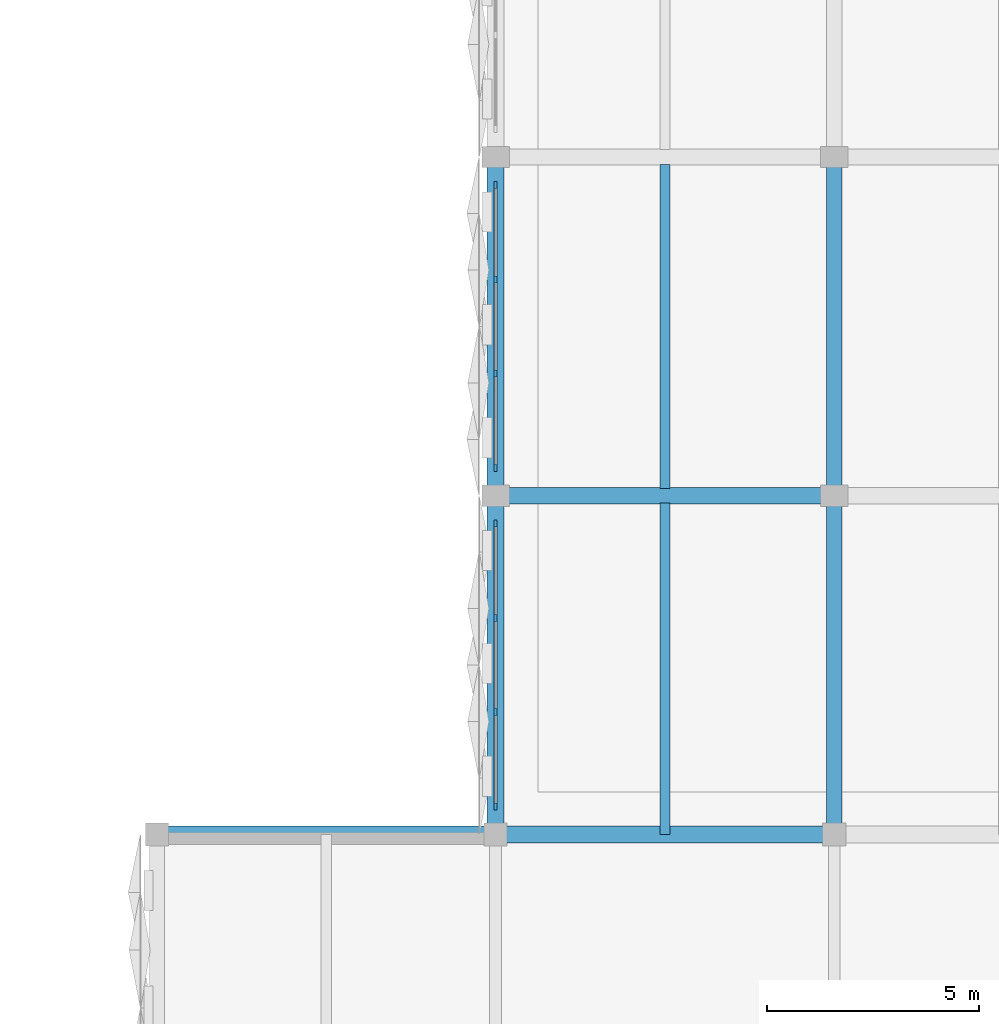
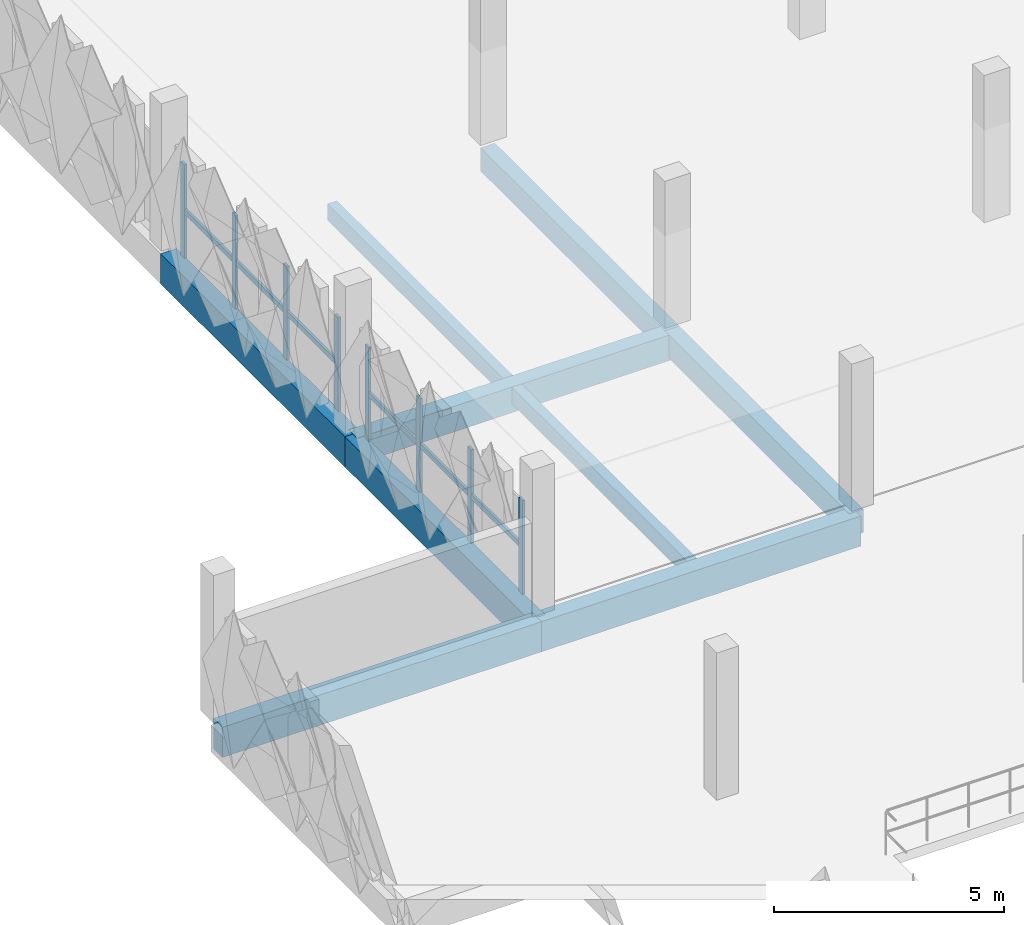
# One storey, part 21 of 83: 10 members, 9 beams, 2 elements without a shape of their own.
"""IFC4 building model written with IfcOpenShell, lengths in metres."""

from ifc_helpers import new_model, si_unit, derived_unit, direction, frame, origin, origin_2d, place, context, subcontext, project, spatial, rectangle, extrude, material, layer, layer_set, material_profile, profile_set, type_object, element, aggregate, save


model = new_model("IFC4")

# Units and contexts
model_context = context("Model", 3, precision=1e-05, world=origin(), true_north=direction((0.0, 1.0)))
body_context = subcontext(model_context, "Body", "Model", "MODEL_VIEW")
ifc_project = project(units=[si_unit("LENGTHUNIT", "METRE"), si_unit("AREAUNIT", "SQUARE_METRE"), si_unit("VOLUMEUNIT", "CUBIC_METRE"), si_unit("PLANEANGLEUNIT", "RADIAN"), si_unit("MASSUNIT", "GRAM", prefix="KILO"), si_unit("THERMODYNAMICTEMPERATUREUNIT", "KELVIN"), derived_unit("THERMALTRANSMITTANCEUNIT", [(si_unit("POWERUNIT", "WATT"), 1), (si_unit("AREAUNIT", "SQUARE_METRE"), -1), (si_unit("THERMODYNAMICTEMPERATUREUNIT", "KELVIN"), -1)])], contexts=[model_context])

# Site, building, storey
site_placement = place(None, origin())
site = spatial("IfcSite", under=ifc_project, at=site_placement, CompositionType="ELEMENT")
building_placement = place(site_placement, origin())
building = spatial("IfcBuilding", under=site, at=building_placement, Name="Haiyu Intermodal Mobility Hub", CompositionType="ELEMENT")
storey_placement = place(building_placement, frame((0.0, 0.0, 13.39990234375)))
storey = spatial("IfcBuildingStorey", under=building, at=storey_placement, Name="L03", CompositionType="ELEMENT", Elevation=13.39990234375)

# Beams
ifc_material_1 = material(Name="Concrete C40", Category="concrete")
ifc_material_profile_1 = material_profile(ifc_material_1, rectangle(XDim=0.39990234375, YDim=0.800048828125, at=origin_2d()), Name="RCB400x800")
ifc_profile_set_1 = profile_set([ifc_material_profile_1], Name="Concrete C40")
beam_type_1 = type_object("IfcBeamType", Name="BM-CB05", PredefinedType="BEAM", material=ifc_profile_set_1)
for number, where, z_axis, x_axis, name in (
    (1, (154.0, 80.0, -0.659912109375), (1.0, 0.0, 0.0), (0.0, 1.0, 0.0), "BM-V5G-L03-056"),
    (2, (162.0, 80.0, -0.659912109375), (1.0, 0.0, 0.0), (0.0, 1.0, 0.0), "BM-V5G-L03-057"),
    (3, (162.0, 80.0, -0.659912109375), (0.0, 1.0, 0.0), (-1.0, 0.0, 0.0), "BM-V6T-L03-001"),
    (4, (162.0, 88.0, -0.659912109375), (0.0, 1.0, 0.0), (-1.0, 0.0, 0.0), "BM-V6T-L03-002"),
):
    element("IfcBeam", number, at=place(storey_placement, frame(where, z_axis=z_axis, x_axis=x_axis)), inside=storey, type_object=beam_type_1, Name=name, PredefinedType="BEAM", context=body_context, shape_type="SweptSolid", body=[
        extrude(rectangle(XDim=0.39990234375, YDim=0.800048828125, at=origin_2d()), origin(), (0.0, 0.0, 1.0), 8.0),
    ])
ifc_material_profile_2 = material_profile(ifc_material_1, rectangle(XDim=0.3798828125, YDim=0.679931640625, at=origin_2d()), Name="B380x680")
ifc_profile_set_2 = profile_set([ifc_material_profile_2], Name="Concrete C40")
beam_type_2 = type_object("IfcBeamType", Name="BM-CB15", PredefinedType="BEAM", material=ifc_profile_set_2)
beam_1_placement = place(storey_placement, frame((162.0, 88.0, -0.599853515625), z_axis=(1.0, 0.0, 0.0), x_axis=(0.0, 1.0, 0.0)))
element("IfcBeam", 5, at=beam_1_placement, inside=storey, type_object=beam_type_2, Name="BM-V6G-L03-007", PredefinedType="BEAM", context=body_context, shape_type="SweptSolid", body=[
    extrude(rectangle(XDim=0.3798828125, YDim=0.679931640625, at=origin_2d()), origin(), (0.0, 0.0, 1.0), 8.0),
])
ifc_material_profile_3 = material_profile(ifc_material_1, rectangle(XDim=0.360107421875, YDim=0.6201171875, at=origin_2d()), Name="B360x620")
ifc_profile_set_3 = profile_set([ifc_material_profile_3], Name="Concrete C40")
beam_type_3 = type_object("IfcBeamType", Name="BM-CB16", PredefinedType="BEAM", material=ifc_profile_set_3)
for number, where, z_axis, x_axis, name in (
    (6, (170.0, 80.0, -0.56982421875), (0.0, 1.0, 0.0), (-1.0, 0.0, 0.0), "BM-V6T-L03-009"),
    (7, (170.0, 88.0, -0.56982421875), (0.0, 1.0, 0.0), (-1.0, 0.0, 0.0), "BM-V6T-L03-010"),
):
    element("IfcBeam", number, at=place(storey_placement, frame(where, z_axis=z_axis, x_axis=x_axis)), inside=storey, type_object=beam_type_3, Name=name, PredefinedType="BEAM", context=body_context, shape_type="SweptSolid", body=[
        extrude(rectangle(XDim=0.360107421875, YDim=0.6201171875, at=origin_2d()), origin(), (0.0, 0.0, 1.0), 8.0),
    ])
ifc_material_profile_4 = material_profile(ifc_material_1, rectangle(XDim=0.239990234375, YDim=0.43994140625, at=origin_2d()), Name="B240x440")
ifc_profile_set_4 = profile_set([ifc_material_profile_4], Name="Concrete C40")
beam_type_4 = type_object("IfcBeamType", Name="BM-CB19", PredefinedType="JOIST", material=ifc_profile_set_4)
beam_2_placement = place(storey_placement, frame((166.0, 80.0, -0.47998046875), z_axis=(0.0, 1.0, 0.0), x_axis=(-1.0, 0.0, 0.0)))
element("IfcBeam", 8, at=beam_2_placement, inside=storey, type_object=beam_type_4, Name="BM-V6J-L03-001", PredefinedType="JOIST", context=body_context, shape_type="SweptSolid", body=[
    extrude(rectangle(XDim=0.239990234375, YDim=0.43994140625, at=origin_2d()), origin(), (0.0, 0.0, 1.0), 7.824951171875),
])
beam_3_placement = place(storey_placement, frame((166.0, 88.175048828125, -0.47998046875), z_axis=(0.0, 1.0, 0.0), x_axis=(-1.0, 0.0, 0.0)))
element("IfcBeam", 9, at=beam_3_placement, inside=storey, type_object=beam_type_4, Name="BM-V6J-L03-002", PredefinedType="JOIST", context=body_context, shape_type="SweptSolid", body=[
    extrude(rectangle(XDim=0.239990234375, YDim=0.43994140625, at=origin_2d()), origin(), (0.0, 0.0, 1.0), 7.64990234375),
])

# Curtain wall, members
ifc_material_2 = material(Name="Low-e laminated insulating glass", Category="glass")
ifc_layer = layer(ifc_material_2, 0.2099609375)
ifc_layer_set = layer_set([ifc_layer], Name="Low-e laminated insulating glass")
curtain_wall_type = type_object("IfcCurtainWallType", Name="CW-CW04", PredefinedType="NOTDEFINED", material=ifc_layer_set)
curtain_wall_1_placement = place(storey_placement, origin())
curtain_wall_1 = element("IfcCurtainWall", 10, at=curtain_wall_1_placement, inside=storey, type_object=curtain_wall_type, Name="Curtain Wall CW-V6W-L03-149", PredefinedType="NOTDEFINED")
ifc_material_3 = material(Name="Anodised aluminium 6063-T6", Category="aluminium")
ifc_material_profile_5 = material_profile(ifc_material_3, rectangle(XDim=0.06494140625, YDim=0.1650390625, at=origin_2d()), Name="ALU65x165")
ifc_profile_set_5 = profile_set([ifc_material_profile_5], Name="Anodised aluminium 6063-T6")
member_type_1 = type_object("IfcMemberType", Name="CWM-ML02", PredefinedType="MULLION", material=ifc_profile_set_5)
member_1_placement = place(storey_placement, frame((162.0, 87.340087890625, 0.0), z_axis=(0.0, 0.0, 1.0), x_axis=(1.0, 0.0, 0.0)))
member_1 = element("IfcMember", 11, at=member_1_placement, type_object=member_type_1, Name="CW-V6W-L03-149-ML01", PredefinedType="MULLION", context=body_context, shape_type="SweptSolid", body=[
    extrude(rectangle(XDim=0.06494140625, YDim=0.1650390625, at=origin_2d()), origin(), (0.0, 0.0, 1.0), 2.47998046875),
])
member_2_placement = place(storey_placement, frame((162.0, 85.113037109375, 0.0), z_axis=(0.0, 0.0, 1.0), x_axis=(1.0, 0.0, 0.0)))
member_2 = element("IfcMember", 12, at=member_2_placement, type_object=member_type_1, Name="CW-V6W-L03-149-ML02", PredefinedType="MULLION", context=body_context, shape_type="SweptSolid", body=[
    extrude(rectangle(XDim=0.06494140625, YDim=0.1650390625, at=origin_2d()), origin(), (0.0, 0.0, 1.0), 2.47998046875),
])
member_3_placement = place(storey_placement, frame((162.0, 82.886962890625, 0.0), z_axis=(0.0, 0.0, 1.0), x_axis=(1.0, 0.0, 0.0)))
member_3 = element("IfcMember", 13, at=member_3_placement, type_object=member_type_1, Name="CW-V6W-L03-149-ML03", PredefinedType="MULLION", context=body_context, shape_type="SweptSolid", body=[
    extrude(rectangle(XDim=0.06494140625, YDim=0.1650390625, at=origin_2d()), origin(), (0.0, 0.0, 1.0), 2.47998046875),
])
member_4_placement = place(storey_placement, frame((162.0, 80.659912109375, 0.0), z_axis=(0.0, 0.0, 1.0), x_axis=(1.0, 0.0, 0.0)))
member_4 = element("IfcMember", 14, at=member_4_placement, type_object=member_type_1, Name="CW-V6W-L03-149-ML04", PredefinedType="MULLION", context=body_context, shape_type="SweptSolid", body=[
    extrude(rectangle(XDim=0.06494140625, YDim=0.1650390625, at=origin_2d()), origin(), (0.0, 0.0, 1.0), 2.47998046875),
])

curtain_wall_2_placement = place(storey_placement, origin())
curtain_wall_2 = element("IfcCurtainWall", 15, at=curtain_wall_2_placement, inside=storey, type_object=curtain_wall_type, Name="Curtain Wall CW-V6W-L03-150", PredefinedType="NOTDEFINED")
member_5_placement = place(storey_placement, frame((162.0, 95.340087890625, 0.0), z_axis=(0.0, 0.0, 1.0), x_axis=(1.0, 0.0, 0.0)))
member_5 = element("IfcMember", 16, at=member_5_placement, type_object=member_type_1, Name="CW-V6W-L03-150-ML01", PredefinedType="MULLION", context=body_context, shape_type="SweptSolid", body=[
    extrude(rectangle(XDim=0.06494140625, YDim=0.1650390625, at=origin_2d()), origin(), (0.0, 0.0, 1.0), 2.47998046875),
])
member_6_placement = place(storey_placement, frame((162.0, 93.113037109375, 0.0), z_axis=(0.0, 0.0, 1.0), x_axis=(1.0, 0.0, 0.0)))
member_6 = element("IfcMember", 17, at=member_6_placement, type_object=member_type_1, Name="CW-V6W-L03-150-ML02", PredefinedType="MULLION", context=body_context, shape_type="SweptSolid", body=[
    extrude(rectangle(XDim=0.06494140625, YDim=0.1650390625, at=origin_2d()), origin(), (0.0, 0.0, 1.0), 2.47998046875),
])
member_7_placement = place(storey_placement, frame((162.0, 90.886962890625, 0.0), z_axis=(0.0, 0.0, 1.0), x_axis=(1.0, 0.0, 0.0)))
member_7 = element("IfcMember", 18, at=member_7_placement, type_object=member_type_1, Name="CW-V6W-L03-150-ML03", PredefinedType="MULLION", context=body_context, shape_type="SweptSolid", body=[
    extrude(rectangle(XDim=0.06494140625, YDim=0.1650390625, at=origin_2d()), origin(), (0.0, 0.0, 1.0), 2.47998046875),
])
member_8_placement = place(storey_placement, frame((162.0, 88.659912109375, 0.0), z_axis=(0.0, 0.0, 1.0), x_axis=(1.0, 0.0, 0.0)))
member_8 = element("IfcMember", 19, at=member_8_placement, type_object=member_type_1, Name="CW-V6W-L03-150-ML04", PredefinedType="MULLION", context=body_context, shape_type="SweptSolid", body=[
    extrude(rectangle(XDim=0.06494140625, YDim=0.1650390625, at=origin_2d()), origin(), (0.0, 0.0, 1.0), 2.47998046875),
])

# Member
ifc_material_profile_6 = material_profile(ifc_material_3, rectangle(XDim=0.06494140625, YDim=0.135009765625, at=origin_2d()), Name="ALU65x135")
ifc_profile_set_6 = profile_set([ifc_material_profile_6], Name="Anodised aluminium 6063-T6")
member_type_2 = type_object("IfcMemberType", Name="CWM-TR02", PredefinedType="USERDEFINED", material=ifc_profile_set_6)
member_9_placement = place(storey_placement, frame((162.0, 87.3798828125, 1.239990234375), z_axis=(0.0, -1.0, 0.0), x_axis=(1.0, 0.0, 0.0)))
member_9 = element("IfcMember", 20, at=member_9_placement, type_object=member_type_2, Name="CW-V6W-L03-149-TR01", ObjectType="TRANSOM", PredefinedType="USERDEFINED", context=body_context, shape_type="SweptSolid", body=[
    extrude(rectangle(XDim=0.06494140625, YDim=0.135009765625, at=origin_2d()), origin(), (0.0, 0.0, 1.0), 6.759765625),
])

aggregate(curtain_wall_1, [member_1, member_2, member_3, member_4, member_9])

member_10_placement = place(storey_placement, frame((162.0, 95.3798828125, 1.239990234375), z_axis=(0.0, -1.0, 0.0), x_axis=(1.0, 0.0, 0.0)))
member_10 = element("IfcMember", 21, at=member_10_placement, type_object=member_type_2, Name="CW-V6W-L03-150-TR01", ObjectType="TRANSOM", PredefinedType="USERDEFINED", context=body_context, shape_type="SweptSolid", body=[
    extrude(rectangle(XDim=0.06494140625, YDim=0.135009765625, at=origin_2d()), origin(), (0.0, 0.0, 1.0), 6.759765625),
])

aggregate(curtain_wall_2, [member_5, member_6, member_7, member_8, member_10])

save(model, "model.ifc")
